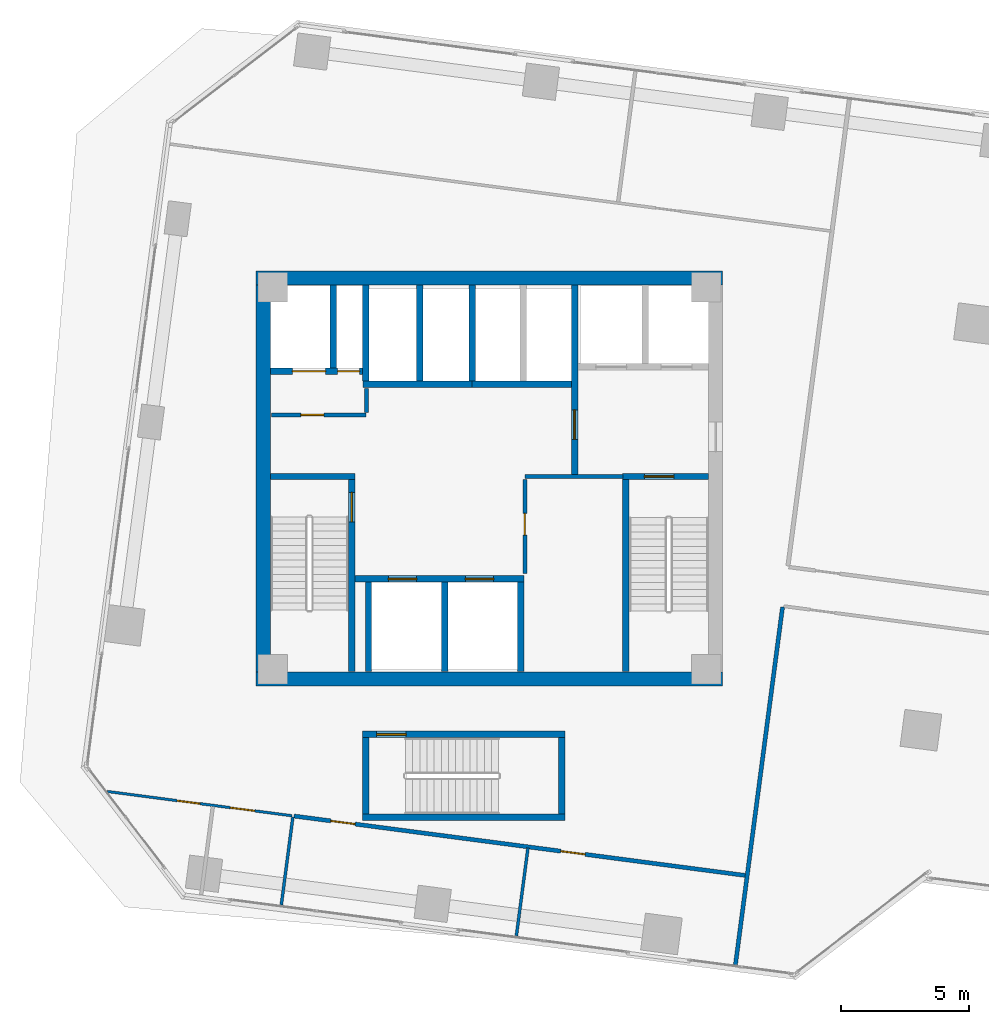
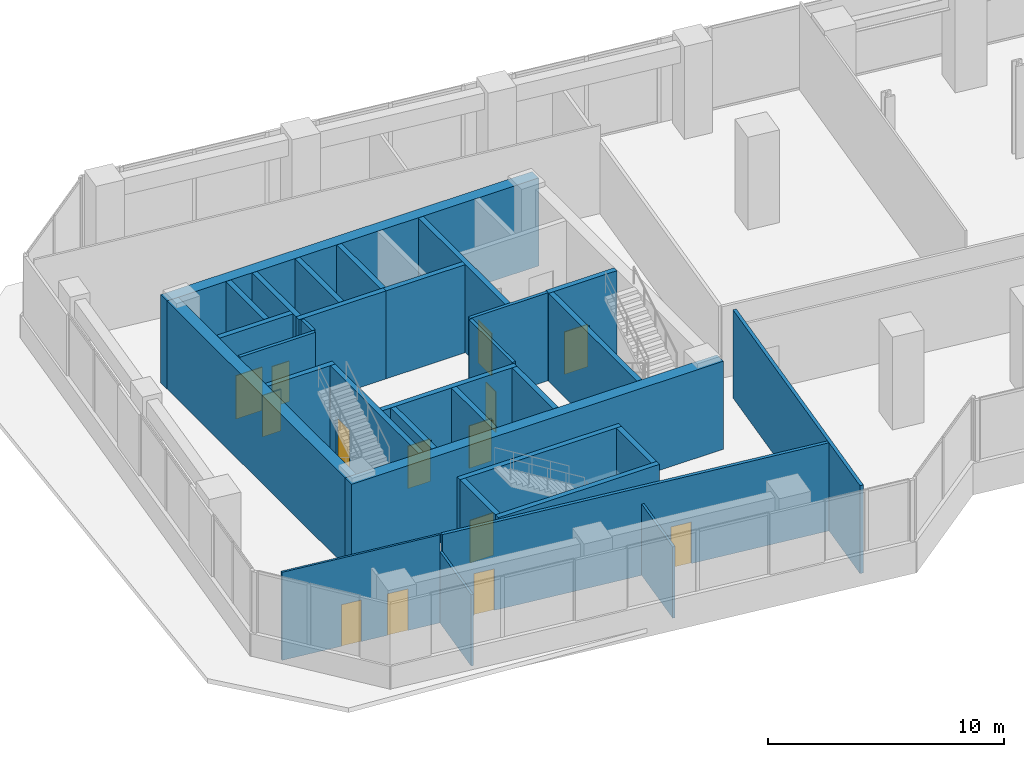
# One storey, part 19 of 24: 32 walls, 14 doors, 14 openings.
"""IFC4 building model written with IfcOpenShell, lengths in metres."""

from ifc_helpers import new_model, si_unit, direction, frame, frame_2d, origin, place, context, subcontext, project, spatial, rectangle, extrude, source, transform, mapped, material, layer, layer_set, type_object, element, fill, save


model = new_model("IFC4")

# Units and contexts
model_context = context("Model", 3, precision=1e-05, world=origin(), true_north=direction((0.0, 1.0)))
body_context = subcontext(model_context, "Body", "Model", "MODEL_VIEW")
ifc_project = project(units=[si_unit("LENGTHUNIT", "METRE"), si_unit("AREAUNIT", "SQUARE_METRE"), si_unit("VOLUMEUNIT", "CUBIC_METRE"), si_unit("PLANEANGLEUNIT", "RADIAN"), si_unit("MASSUNIT", "GRAM", prefix="KILO")], contexts=[model_context])

# Site, building, storey
site_placement = place(None, origin())
site = spatial("IfcSite", under=ifc_project, at=site_placement, CompositionType="ELEMENT")
building_placement = place(site_placement, origin())
building = spatial("IfcBuilding", under=site, at=building_placement, Name="Torre Montelarca", CompositionType="ELEMENT")
storey_placement = place(building_placement, frame((0.0, 0.0, 61.60009765625)))
storey = spatial("IfcBuildingStorey", under=building, at=storey_placement, Name="L13", CompositionType="ELEMENT", Elevation=61.60009765625)

# Wall, opening, door
ifc_material_1 = material(Name="Concrete C40/50", Category="concrete")
ifc_layer_1 = layer(ifc_material_1, 0.25, Name="Concrete C40/50", Category="concrete")
ifc_layer_set_1 = layer_set([ifc_layer_1], Name="Concrete C40/50")
wall_type_1 = type_object("IfcWallType", Name="CW-SHAFT-250", PredefinedType="SHEAR", material=ifc_layer_set_1)
wall_1_placement = place(storey_placement, frame((12.625, 24.4599609375, 0.0), z_axis=(0.0, 0.0, 1.0), x_axis=(0.0, 1.0, 0.0)))
wall_1 = element("IfcWall", 1, at=wall_1_placement, inside=storey, type_object=wall_type_1, Name="L13 Core Shear Wall SH-ST1-E", PredefinedType="SHEAR", context=body_context, shape_type="SweptSolid", body=[
    extrude(rectangle(XDim=7.489990234375, YDim=0.25, at=frame_2d((3.7451171875, 0.0))), origin(), (0.0, 0.0, 1.0), 4.559814453125),
])
opening_1_placement = place(wall_1_placement, frame((5.85009765625, 0.0, 0.0)))
opening_1 = element("IfcOpeningElement", 2, at=opening_1_placement, cuts=wall_1, Name="Opening FD-ST1", PredefinedType="OPENING", context=body_context, shape_type="SweptSolid", body=[
    extrude(rectangle(XDim=1.14990234375, YDim=2.199951171875, at=frame_2d((0.574951171875, 1.10009765625))), frame((0.0, 0.135009765625, 0.0), z_axis=(0.0, -1.0, 0.0), x_axis=(1.0, 0.0, 0.0)), (0.0, 0.0, 1.0), 0.27001953125),
])
ifc_material_2 = material(Name="Galvanized steel fire door", Category="steel")
door_type_1 = type_object("IfcDoorType", Name="DR-STAIR-115", OperationType="NOTDEFINED", PredefinedType="DOOR", material=ifc_material_2)
shared_shape_1 = source(origin(), body_context, "Body", "SweptSolid", [
    extrude(rectangle(XDim=1.14990234375, YDim=2.199951171875, at=frame_2d((0.574951171875, 1.10009765625))), frame((0.0, 0.02490234375, 0.0), z_axis=(0.0, -1.0, 0.0), x_axis=(1.0, 0.0, 0.0)), (0.0, 0.0, 1.0), 0.050048828125),
])
door_1_placement = place(opening_1_placement, origin())
door_1 = element("IfcDoor", 3, at=door_1_placement, inside=storey, type_object=door_type_1, Name="L13 Exit Stair ST1 Fire Door", OperationType="SINGLE_SWING_RIGHT", OverallHeight=2.199951171875, OverallWidth=1.14990234375, PredefinedType="DOOR", context=body_context, shape_type="MappedRepresentation", body=[
    mapped(shared_shape_1, transform((0.0, 0.0, 0.0), scale=1.0)),
])
fill(opening_1, door_1)

# Walls
wall_2_placement = place(storey_placement, frame((9.4599609375, 32.074951171875, 0.0), z_axis=(0.0, 0.0, 1.0), x_axis=(1.0, 0.0, 0.0)))
element("IfcWall", 4, at=wall_2_placement, inside=storey, type_object=wall_type_1, Name="L13 Core Shear Wall SH-ST1-N", PredefinedType="SHEAR", context=body_context, shape_type="SweptSolid", body=[
    extrude(rectangle(XDim=3.2900390625, YDim=0.25, at=frame_2d((1.64501953125, 0.0))), origin(), (0.0, 0.0, 1.0), 4.559814453125),
])
wall_3_placement = place(storey_placement, frame((23.31494140625, 24.4599609375, 0.0), z_axis=(0.0, 0.0, 1.0), x_axis=(0.0, 1.0, 0.0)))
element("IfcWall", 5, at=wall_3_placement, inside=storey, type_object=wall_type_1, Name="L13 Core Shear Wall SH-ST2-W", PredefinedType="SHEAR", context=body_context, shape_type="SweptSolid", body=[
    extrude(rectangle(XDim=7.489990234375, YDim=0.25, at=frame_2d((3.7451171875, 0.0))), origin(), (0.0, 0.0, 1.0), 4.559814453125),
])

# Wall, opening, door
wall_4_placement = place(storey_placement, frame((23.18994140625, 32.074951171875, 0.0), z_axis=(0.0, 0.0, 1.0), x_axis=(1.0, 0.0, 0.0)))
wall_4 = element("IfcWall", 6, at=wall_4_placement, inside=storey, type_object=wall_type_1, Name="L13 Core Shear Wall SH-ST2-N", PredefinedType="SHEAR", context=body_context, shape_type="SweptSolid", body=[
    extrude(rectangle(XDim=3.35009765625, YDim=0.25, at=frame_2d((1.675048828125, 0.0))), origin(), (0.0, 0.0, 1.0), 4.559814453125),
])
opening_2_placement = place(wall_4_placement, frame((0.85009765625, 0.0, 0.0)))
opening_2 = element("IfcOpeningElement", 7, at=opening_2_placement, cuts=wall_4, Name="Opening FD-ST1", PredefinedType="OPENING", context=body_context, shape_type="SweptSolid", body=[
    extrude(rectangle(XDim=1.14990234375, YDim=2.199951171875, at=frame_2d((0.574951171875, 1.10009765625))), frame((0.0, 0.135009765625, 0.0), z_axis=(0.0, -1.0, 0.0), x_axis=(1.0, 0.0, 0.0)), (0.0, 0.0, 1.0), 0.27001953125),
])
door_2_placement = place(opening_2_placement, origin())
door_2 = element("IfcDoor", 8, at=door_2_placement, inside=storey, type_object=door_type_1, Name="L13 Exit Stair ST2 Fire Door", OperationType="SINGLE_SWING_RIGHT", OverallHeight=2.199951171875, OverallWidth=1.14990234375, PredefinedType="DOOR", context=body_context, shape_type="MappedRepresentation", body=[
    mapped(shared_shape_1, transform((0.0, 0.0, 0.0), scale=1.0)),
])
fill(opening_2, door_2)

wall_5_placement = place(storey_placement, frame((21.320068359375, 32.1201171875, 0.0), z_axis=(0.0, 0.0, 1.0), x_axis=(0.0, 1.0, 0.0)))
wall_5 = element("IfcWall", 9, at=wall_5_placement, inside=storey, type_object=wall_type_1, Name="L13 Core Shear Wall SH-FFL-W", PredefinedType="SHEAR", context=body_context, shape_type="SweptSolid", body=[
    extrude(rectangle(XDim=7.419921875, YDim=0.25, at=frame_2d((3.7099609375, 0.0))), origin(), (0.0, 0.0, 1.0), 4.559814453125),
])
opening_3_placement = place(wall_5_placement, frame((1.39990234375, 0.0, 0.0)))
opening_3 = element("IfcOpeningElement", 10, at=opening_3_placement, cuts=wall_5, Name="Opening FD-LB1", PredefinedType="OPENING", context=body_context, shape_type="SweptSolid", body=[
    extrude(rectangle(XDim=1.14990234375, YDim=2.199951171875, at=frame_2d((0.574951171875, 1.10009765625))), frame((0.0, 0.135009765625, 0.0), z_axis=(0.0, -1.0, 0.0), x_axis=(1.0, 0.0, 0.0)), (0.0, 0.0, 1.0), 0.27001953125),
])
ifc_material_3 = material(Name="Acoustic timber-veneered fire door", Category="wood")
door_type_2 = type_object("IfcDoorType", Name="DR-LOBBY-115", OperationType="NOTDEFINED", PredefinedType="DOOR", material=ifc_material_3)
shared_shape_2 = source(origin(), body_context, "Body", "SweptSolid", [
    extrude(rectangle(XDim=1.14990234375, YDim=2.199951171875, at=frame_2d((0.574951171875, 1.10009765625))), frame((0.0, 0.02490234375, 0.0), z_axis=(0.0, -1.0, 0.0), x_axis=(1.0, 0.0, 0.0)), (0.0, 0.0, 1.0), 0.050048828125),
])
door_3_placement = place(opening_3_placement, origin())
door_3 = element("IfcDoor", 11, at=door_3_placement, inside=storey, type_object=door_type_2, Name="L13 Lift Lobby to Firefighting Lobby Smoke Door", OperationType="SINGLE_SWING_LEFT", OverallHeight=2.199951171875, OverallWidth=1.14990234375, PredefinedType="DOOR", context=body_context, shape_type="MappedRepresentation", body=[
    mapped(shared_shape_2, transform((0.0, 0.0, 0.0), scale=1.0)),
])
fill(opening_3, door_3)

# Wall, openings, doors
wall_6_placement = place(storey_placement, frame((9.4599609375, 36.179931640625, 0.0), z_axis=(0.0, 0.0, 1.0), x_axis=(1.0, 0.0, 0.0)))
wall_6 = element("IfcWall", 12, at=wall_6_placement, inside=storey, type_object=wall_type_1, Name="L13 Core Shear Wall SH-SV1-S", PredefinedType="SHEAR", context=body_context, shape_type="SweptSolid", body=[
    extrude(rectangle(XDim=3.7900390625, YDim=0.25, at=frame_2d((1.89501953125, 0.0))), origin(), (0.0, 0.0, 1.0), 4.559814453125),
])
opening_4_placement = place(wall_6_placement, frame((2.6201171875, 0.0, 0.0)))
opening_4 = element("IfcOpeningElement", 13, at=opening_4_placement, cuts=wall_6, Name="Opening FD-085", PredefinedType="OPENING", context=body_context, shape_type="SweptSolid", body=[
    extrude(rectangle(XDim=0.85009765625, YDim=2.10009765625, at=frame_2d((0.425048828125, 1.050048828125))), frame((0.0, 0.135009765625, 0.0), z_axis=(0.0, -1.0, 0.0), x_axis=(1.0, 0.0, 0.0)), (0.0, 0.0, 1.0), 0.27001953125),
])
opening_5_placement = place(wall_6_placement, frame((0.85009765625, 0.0, 0.0)))
opening_5 = element("IfcOpeningElement", 14, at=opening_5_placement, cuts=wall_6, Name="Opening LD-130", PredefinedType="OPENING", context=body_context, shape_type="SweptSolid", body=[
    extrude(rectangle(XDim=1.300048828125, YDim=2.25, at=frame_2d((0.64990234375, 1.125))), frame((0.0, 0.135009765625, 0.0), z_axis=(0.0, -1.0, 0.0), x_axis=(1.0, 0.0, 0.0)), (0.0, 0.0, 1.0), 0.27001953125),
])
ifc_material_4 = material(Name="Steel riser access fire door", Category="steel")
door_type_3 = type_object("IfcDoorType", Name="DR-RISER-085", OperationType="NOTDEFINED", PredefinedType="DOOR", material=ifc_material_4)
shared_shape_3 = source(origin(), body_context, "Body", "SweptSolid", [
    extrude(rectangle(XDim=0.85009765625, YDim=2.10009765625, at=frame_2d((0.425048828125, 1.050048828125))), frame((0.0, 0.02490234375, 0.0), z_axis=(0.0, -1.0, 0.0), x_axis=(1.0, 0.0, 0.0)), (0.0, 0.0, 1.0), 0.050048828125),
])
door_4_placement = place(opening_4_placement, origin())
door_4 = element("IfcDoor", 15, at=door_4_placement, inside=storey, type_object=door_type_3, Name="L13 Electrical Riser Shaft Access Door", OperationType="SINGLE_SWING_RIGHT", OverallHeight=2.10009765625, OverallWidth=0.85009765625, PredefinedType="DOOR", context=body_context, shape_type="MappedRepresentation", body=[
    mapped(shared_shape_3, transform((0.0, 0.0, 0.0), scale=1.0)),
])
fill(opening_4, door_4)
ifc_material_5 = material(Name="Brushed stainless steel AISI 316", Category="steel")
door_type_4 = type_object("IfcDoorType", Name="DR-LIFT-130", OperationType="SLIDING_TO_LEFT", PredefinedType="DOOR", material=ifc_material_5)
shared_shape_4 = source(origin(), body_context, "Body", "SweptSolid", [
    extrude(rectangle(XDim=1.300048828125, YDim=2.25, at=frame_2d((0.64990234375, 1.125))), frame((0.0, 0.02490234375, 0.0), z_axis=(0.0, -1.0, 0.0), x_axis=(1.0, 0.0, 0.0)), (0.0, 0.0, 1.0), 0.050048828125),
])
door_5_placement = place(opening_5_placement, origin())
door_5 = element("IfcDoor", 16, at=door_5_placement, inside=storey, type_object=door_type_4, Name="L13 Lift Landing Sliding Door SV-1", OperationType="SLIDING_TO_LEFT", OverallHeight=2.25, OverallWidth=1.300048828125, PredefinedType="DOOR", context=body_context, shape_type="MappedRepresentation", body=[
    mapped(shared_shape_4, transform((0.0, 0.0, 0.0), scale=1.0)),
])
fill(opening_5, door_5)

# Wall
wall_7_placement = place(storey_placement, frame((11.89990234375, 36.31005859375, 0.0), z_axis=(0.0, 0.0, 1.0), x_axis=(0.0, 1.0, 0.0)))
element("IfcWall", 17, at=wall_7_placement, inside=storey, type_object=wall_type_1, Name="L13 Core Shear Wall SH-SV1-E", PredefinedType="SHEAR", context=body_context, shape_type="SweptSolid", body=[
    extrude(rectangle(XDim=3.22998046875, YDim=0.25, at=frame_2d((1.614990234375, 0.0))), origin(), (0.0, 0.0, 1.0), 4.559814453125),
])

# Wall, openings, doors
wall_8_placement = place(storey_placement, frame((12.6298828125, 28.080078125, 0.0), z_axis=(0.0, 0.0, 1.0), x_axis=(1.0, 0.0, 0.0)))
wall_8 = element("IfcWall", 18, at=wall_8_placement, inside=storey, type_object=wall_type_1, Name="L13 Core Shear Wall SH-PLL-N", PredefinedType="SHEAR", context=body_context, shape_type="SweptSolid", body=[
    extrude(rectangle(XDim=6.710205078125, YDim=0.25, at=frame_2d((3.35498046875, 0.0))), origin(), (0.0, 0.0, 1.0), 4.559814453125),
])
opening_6_placement = place(wall_8_placement, frame((1.429931640625, 0.0, 0.0)))
opening_6 = element("IfcOpeningElement", 19, at=opening_6_placement, cuts=wall_8, Name="Opening LD-110", PredefinedType="OPENING", context=body_context, shape_type="SweptSolid", body=[
    extrude(rectangle(XDim=1.10009765625, YDim=2.199951171875, at=frame_2d((0.550048828125, 1.10009765625))), frame((0.0, 0.135009765625, 0.0), z_axis=(0.0, -1.0, 0.0), x_axis=(1.0, 0.0, 0.0)), (0.0, 0.0, 1.0), 0.27001953125),
])
opening_7_placement = place(wall_8_placement, frame((4.429931640625, 0.0, 0.0)))
opening_7 = element("IfcOpeningElement", 20, at=opening_7_placement, cuts=wall_8, Name="Opening LD-110", PredefinedType="OPENING", context=body_context, shape_type="SweptSolid", body=[
    extrude(rectangle(XDim=1.10009765625, YDim=2.199951171875, at=frame_2d((0.550048828125, 1.10009765625))), frame((0.0, 0.135009765625, 0.0), z_axis=(0.0, -1.0, 0.0), x_axis=(1.0, 0.0, 0.0)), (0.0, 0.0, 1.0), 0.27001953125),
])
door_type_5 = type_object("IfcDoorType", Name="DR-LIFT-110", OperationType="SLIDING_TO_LEFT", PredefinedType="DOOR", material=ifc_material_5)
shared_shape_5 = source(origin(), body_context, "Body", "SweptSolid", [
    extrude(rectangle(XDim=1.10009765625, YDim=2.199951171875, at=frame_2d((0.550048828125, 1.10009765625))), frame((0.0, 0.02490234375, 0.0), z_axis=(0.0, -1.0, 0.0), x_axis=(1.0, 0.0, 0.0)), (0.0, 0.0, 1.0), 0.050048828125),
])
door_6_placement = place(opening_6_placement, origin())
door_6 = element("IfcDoor", 21, at=door_6_placement, inside=storey, type_object=door_type_5, Name="L13 Lift Landing Sliding Door PL-L1", OperationType="SLIDING_TO_LEFT", OverallHeight=2.199951171875, OverallWidth=1.10009765625, PredefinedType="DOOR", context=body_context, shape_type="MappedRepresentation", body=[
    mapped(shared_shape_5, transform((0.0, 0.0, 0.0), scale=1.0)),
])
fill(opening_6, door_6)
door_7_placement = place(opening_7_placement, origin())
door_7 = element("IfcDoor", 22, at=door_7_placement, inside=storey, type_object=door_type_5, Name="L13 Lift Landing Sliding Door PL-L2", OperationType="SLIDING_TO_RIGHT", OverallHeight=2.199951171875, OverallWidth=1.10009765625, PredefinedType="DOOR", context=body_context, shape_type="MappedRepresentation", body=[
    mapped(shared_shape_5, transform((0.0, 0.0, 0.0), scale=1.0)),
])
fill(opening_7, door_7)

# Walls
for number, where, z_axis, x_axis, name in (
    (23, (13.280029296875, 24.4599609375, 0.0), (0.0, 0.0, 1.0), (0.0, 1.0, 0.0), "L13 Core Shear Wall SH-PLL-W"),
    (24, (16.25, 24.4599609375, 0.0), (0.0, 0.0, 1.0), (0.0, 1.0, 0.0), "L13 Core Shear Wall SH-PLL-M"),
    (25, (19.219970703125, 24.4599609375, 0.0), (0.0, 0.0, 1.0), (0.0, 1.0, 0.0), "L13 Core Shear Wall SH-PLL-E"),
):
    element("IfcWall", number, at=place(storey_placement, frame(where, z_axis=z_axis, x_axis=x_axis)), inside=storey, type_object=wall_type_1, Name=name, PredefinedType="SHEAR", context=body_context, shape_type="SweptSolid", body=[
        extrude(rectangle(XDim=3.489990234375, YDim=0.25, at=frame_2d((1.7451171875, 0.0))), origin(), (0.0, 0.0, 1.0), 4.559814453125),
    ])
wall_9_placement = place(storey_placement, frame((13.06005859375, 35.679931640625, 0.0), z_axis=(0.0, 0.0, 1.0), x_axis=(1.0, 0.0, 0.0)))
element("IfcWall", 26, at=wall_9_placement, inside=storey, type_object=wall_type_1, Name="L13 Core Shear Wall SH-PLM-S", PredefinedType="SHEAR", context=body_context, shape_type="SweptSolid", body=[
    extrude(rectangle(XDim=4.25, YDim=0.25, at=frame_2d((2.125, 0.0))), origin(), (0.0, 0.0, 1.0), 4.559814453125),
])
for number, where, z_axis, x_axis, name in (
    (27, (13.179931640625, 35.81005859375, 0.0), (0.0, 0.0, 1.0), (0.0, 1.0, 0.0), "L13 Core Shear Wall SH-PLM-W"),
    (28, (15.280029296875, 35.81005859375, 0.0), (0.0, 0.0, 1.0), (0.0, 1.0, 0.0), "L13 Core Shear Wall SH-PLM-M"),
):
    element("IfcWall", number, at=place(storey_placement, frame(where, z_axis=z_axis, x_axis=x_axis)), inside=storey, type_object=wall_type_1, Name=name, PredefinedType="SHEAR", context=body_context, shape_type="SweptSolid", body=[
        extrude(rectangle(XDim=3.72998046875, YDim=0.25, at=frame_2d((1.864990234375, 0.0))), origin(), (0.0, 0.0, 1.0), 4.559814453125),
    ])
wall_10_placement = place(storey_placement, frame((17.320068359375, 35.679931640625, 0.0), z_axis=(0.0, 0.0, 1.0), x_axis=(1.0, 0.0, 0.0)))
element("IfcWall", 29, at=wall_10_placement, inside=storey, type_object=wall_type_1, Name="L13 Core Shear Wall SH-PLH-S", PredefinedType="SHEAR", context=body_context, shape_type="SweptSolid", body=[
    extrude(rectangle(XDim=3.869873046875, YDim=0.25, at=frame_2d((1.93505859375, 0.0))), origin(), (0.0, 0.0, 1.0), 4.559814453125),
])
wall_11_placement = place(storey_placement, frame((17.320068359375, 35.81005859375, 0.0), z_axis=(0.0, 0.0, 1.0), x_axis=(0.0, 1.0, 0.0)))
element("IfcWall", 30, at=wall_11_placement, inside=storey, type_object=wall_type_1, Name="L13 Core Shear Wall SH-PLH-W", PredefinedType="SHEAR", context=body_context, shape_type="SweptSolid", body=[
    extrude(rectangle(XDim=3.72998046875, YDim=0.25, at=frame_2d((1.864990234375, 0.0))), origin(), (0.0, 0.0, 1.0), 4.559814453125),
])
for number, where, z_axis, x_axis, name in (
    (31, (13.175048828125, 18.89990234375, 0.0), (0.0, 0.0, 1.0), (0.0, 1.0, 0.0), "L13 Core Shear Wall SH-ST3-W"),
    (32, (20.824951171875, 18.89990234375, 0.0), (0.0, 0.0, 1.0), (0.0, 1.0, 0.0), "L13 Core Shear Wall SH-ST3-E"),
):
    element("IfcWall", number, at=place(storey_placement, frame(where, z_axis=z_axis, x_axis=x_axis)), inside=storey, type_object=wall_type_1, Name=name, PredefinedType="SHEAR", context=body_context, shape_type="SweptSolid", body=[
        extrude(rectangle(XDim=2.989990234375, YDim=0.25, at=frame_2d((1.4951171875, 0.0))), origin(), (0.0, 0.0, 1.0), 4.559814453125),
    ])
wall_12_placement = place(storey_placement, frame((13.050048828125, 18.77490234375, 0.0), z_axis=(0.0, 0.0, 1.0), x_axis=(1.0, 0.0, 0.0)))
element("IfcWall", 33, at=wall_12_placement, inside=storey, type_object=wall_type_1, Name="L13 Core Shear Wall SH-ST3-S", PredefinedType="SHEAR", context=body_context, shape_type="SweptSolid", body=[
    extrude(rectangle(XDim=7.89990234375, YDim=0.25, at=frame_2d((3.949951171875, 0.0))), origin(), (0.0, 0.0, 1.0), 4.559814453125),
])

# Wall, opening, door
wall_13_placement = place(storey_placement, frame((13.050048828125, 22.014892578125, 0.0), z_axis=(0.0, 0.0, 1.0), x_axis=(1.0, 0.0, 0.0)))
wall_13 = element("IfcWall", 34, at=wall_13_placement, inside=storey, type_object=wall_type_1, Name="L13 Core Shear Wall SH-ST3-N", PredefinedType="SHEAR", context=body_context, shape_type="SweptSolid", body=[
    extrude(rectangle(XDim=7.89990234375, YDim=0.25, at=frame_2d((3.949951171875, 0.0))), origin(), (0.0, 0.0, 1.0), 4.559814453125),
])
opening_8_placement = place(wall_13_placement, frame((0.550048828125, 0.0, 0.0)))
opening_8 = element("IfcOpeningElement", 35, at=opening_8_placement, cuts=wall_13, Name="Opening FD-ST1", PredefinedType="OPENING", context=body_context, shape_type="SweptSolid", body=[
    extrude(rectangle(XDim=1.14990234375, YDim=2.199951171875, at=frame_2d((0.574951171875, 1.10009765625))), frame((0.0, 0.135009765625, 0.0), z_axis=(0.0, -1.0, 0.0), x_axis=(1.0, 0.0, 0.0)), (0.0, 0.0, 1.0), 0.27001953125),
])
door_8_placement = place(opening_8_placement, origin())
door_8 = element("IfcDoor", 36, at=door_8_placement, inside=storey, type_object=door_type_1, Name="L13 Exit Stair ST3 Fire Door", OperationType="SINGLE_SWING_LEFT", OverallHeight=2.199951171875, OverallWidth=1.14990234375, PredefinedType="DOOR", context=body_context, shape_type="MappedRepresentation", body=[
    mapped(shared_shape_1, transform((0.0, 0.0, 0.0), scale=1.0)),
])
fill(opening_8, door_8)

# Walls
ifc_material_6 = material(Name="Concrete C70/85", Category="concrete")
ifc_layer_2 = layer(ifc_material_6, 0.550048828125, Name="Concrete C70/85", Category="concrete")
ifc_layer_set_2 = layer_set([ifc_layer_2], Name="Concrete C70/85")
wall_type_2 = type_object("IfcWallType", Name="CW-SHEAR-550", PredefinedType="SHEAR", material=ifc_layer_set_2)
wall_14_placement = place(storey_placement, frame((9.175048828125, 24.449951171875, 0.0), z_axis=(0.0, 0.0, 1.0), x_axis=(0.0, 1.0, 0.0)))
element("IfcWall", 37, at=wall_14_placement, inside=storey, type_object=wall_type_2, Name="L13 Core Shear Wall CW-W", PredefinedType="SHEAR", context=body_context, shape_type="SweptSolid", body=[
    extrude(rectangle(XDim=15.10009765625, YDim=0.550048828125, at=frame_2d((7.550048828125, 0.0))), origin(), (0.0, 0.0, 1.0), 4.559814453125),
])
for number, where, z_axis, x_axis, name in (
    (38, (8.89990234375, 24.175048828125, 0.0), (0.0, 0.0, 1.0), (1.0, 0.0, 0.0), "L13 Core Shear Wall CW-S1"),
    (39, (8.89990234375, 39.824951171875, 0.0), (0.0, 0.0, 1.0), (1.0, 0.0, 0.0), "L13 Core Shear Wall CW-N1"),
):
    element("IfcWall", number, at=place(storey_placement, frame(where, z_axis=z_axis, x_axis=x_axis)), inside=storey, type_object=wall_type_2, Name=name, PredefinedType="SHEAR", context=body_context, shape_type="SweptSolid", body=[
        extrude(rectangle(XDim=18.2001953125, YDim=0.550048828125, at=frame_2d((9.10009765625, 0.0))), origin(), (0.0, 0.0, 1.0), 4.559814453125),
    ])

# Wall, opening, door
ifc_material_7 = material(Name="Gypsum plasterboard on steel stud", Category="steel")
ifc_layer_3 = layer(ifc_material_7, 0.159912109375, Name="Gypsum plasterboard on steel stud", Category="steel")
ifc_layer_set_3 = layer_set([ifc_layer_3], Name="Gypsum plasterboard on steel stud")
wall_type_3 = type_object("IfcWallType", Name="PW-FIRE-160", PredefinedType="PARTITIONING", material=ifc_layer_set_3)
wall_15_placement = place(storey_placement, frame((9.489990234375, 34.47998046875, 0.0), z_axis=(0.0, 0.0, 1.0), x_axis=(1.0, 0.0, 0.0)))
wall_15 = element("IfcWall", 40, at=wall_15_placement, inside=storey, type_object=wall_type_3, Name="L13 Interior Partition CW-L13-SVS", PredefinedType="PARTITIONING", context=body_context, shape_type="SweptSolid", body=[
    extrude(rectangle(XDim=3.699951171875, YDim=0.159912109375, at=frame_2d((1.85009765625, 0.0))), origin(), (0.0, 0.0, 1.0), 4.559814453125),
])
opening_9_placement = place(wall_15_placement, frame((1.14990234375, 0.0, 0.0)))
opening_9 = element("IfcOpeningElement", 41, at=opening_9_placement, cuts=wall_15, Name="Opening FD-090", PredefinedType="OPENING", context=body_context, shape_type="SweptSolid", body=[
    extrude(rectangle(XDim=0.89990234375, YDim=2.14990234375, at=frame_2d((0.449951171875, 1.074951171875))), frame((0.0, 0.08984375, 0.0), z_axis=(0.0, -1.0, 0.0), x_axis=(1.0, 0.0, 0.0)), (0.0, 0.0, 1.0), 0.179931640625),
])
ifc_material_8 = material(Name="Steel service fire door", Category="steel")
door_type_6 = type_object("IfcDoorType", Name="DR-FIRE-090", OperationType="NOTDEFINED", PredefinedType="DOOR", material=ifc_material_8)
shared_shape_6 = source(origin(), body_context, "Body", "SweptSolid", [
    extrude(rectangle(XDim=0.89990234375, YDim=2.14990234375, at=frame_2d((0.449951171875, 1.074951171875))), frame((0.0, 0.02490234375, 0.0), z_axis=(0.0, -1.0, 0.0), x_axis=(1.0, 0.0, 0.0)), (0.0, 0.0, 1.0), 0.050048828125),
])
door_9_placement = place(opening_9_placement, origin())
door_9 = element("IfcDoor", 42, at=door_9_placement, inside=storey, type_object=door_type_6, Name="L13 Interior Door 01", OperationType="SINGLE_SWING_RIGHT", OverallHeight=2.14990234375, OverallWidth=0.89990234375, PredefinedType="DOOR", context=body_context, shape_type="MappedRepresentation", body=[
    mapped(shared_shape_6, transform((0.0, 0.0, 0.0), scale=1.0)),
])
fill(opening_9, door_9)

# Walls
wall_16_placement = place(storey_placement, frame((13.199951171875, 34.570068359375, 0.0), z_axis=(0.0, 0.0, 1.0), x_axis=(0.0, 1.0, 0.0)))
element("IfcWall", 43, at=wall_16_placement, inside=storey, type_object=wall_type_3, Name="L13 Interior Partition CW-L13-SVE", PredefinedType="PARTITIONING", context=body_context, shape_type="SweptSolid", body=[
    extrude(rectangle(XDim=0.93994140625, YDim=0.159912109375, at=frame_2d((0.469970703125, 0.0))), origin(), (0.0, 0.0, 1.0), 4.559814453125),
])
wall_17_placement = place(storey_placement, frame((19.389892578125, 32.080078125, 0.0), z_axis=(0.0, 0.0, 1.0), x_axis=(1.0, 0.0, 0.0)))
element("IfcWall", 44, at=wall_17_placement, inside=storey, type_object=wall_type_3, Name="L13 Interior Partition CW-L13-SEN", PredefinedType="PARTITIONING", context=body_context, shape_type="SweptSolid", body=[
    extrude(rectangle(XDim=3.820068359375, YDim=0.159912109375, at=frame_2d((1.91015625, 0.0))), origin(), (0.0, 0.0, 1.0), 4.559814453125),
])

# Wall, opening, door
wall_18_placement = place(storey_placement, frame((19.3798828125, 28.2900390625, 0.0), z_axis=(0.0, 0.0, 1.0), x_axis=(0.0, 1.0, 0.0)))
wall_18 = element("IfcWall", 45, at=wall_18_placement, inside=storey, type_object=wall_type_3, Name="L13 Interior Partition CW-L13-SEW", PredefinedType="PARTITIONING", context=body_context, shape_type="SweptSolid", body=[
    extrude(rectangle(XDim=3.669921875, YDim=0.159912109375, at=frame_2d((1.8349609375, 0.0))), origin(), (0.0, 0.0, 1.0), 4.559814453125),
])
opening_10_placement = place(wall_18_placement, frame((1.5, 0.0, 0.0)))
opening_10 = element("IfcOpeningElement", 46, at=opening_10_placement, cuts=wall_18, Name="Opening FD-085", PredefinedType="OPENING", context=body_context, shape_type="SweptSolid", body=[
    extrude(rectangle(XDim=0.85009765625, YDim=2.10009765625, at=frame_2d((0.425048828125, 1.050048828125))), frame((0.0, 0.08984375, 0.0), z_axis=(0.0, -1.0, 0.0), x_axis=(1.0, 0.0, 0.0)), (0.0, 0.0, 1.0), 0.179931640625),
])
door_10_placement = place(opening_10_placement, origin())
door_10 = element("IfcDoor", 47, at=door_10_placement, inside=storey, type_object=door_type_3, Name="L13 Interior Door 02", OperationType="SINGLE_SWING_RIGHT", OverallHeight=2.10009765625, OverallWidth=0.85009765625, PredefinedType="DOOR", context=body_context, shape_type="MappedRepresentation", body=[
    mapped(shared_shape_3, transform((0.0, 0.0, 0.0), scale=1.0)),
])
fill(opening_10, door_10)

# Wall, openings, doors
wall_19_placement = place(storey_placement, frame((10.375732421875, 18.829345703125, 0.0), z_axis=(0.0, 0.0, 1.0), x_axis=(0.99144504436, -0.130524802294, 0.0)))
wall_19 = element("IfcWall", 48, at=wall_19_placement, inside=storey, type_object=wall_type_3, Name="L13 Interior Partition W-L13-SOCCN", PredefinedType="PARTITIONING", context=body_context, shape_type="SweptSolid", body=[
    extrude(rectangle(XDim=17.789794921875, YDim=0.159912109375, at=frame_2d((8.89501953125, 0.0))), origin(), (0.0, 0.0, 1.0), 4.559814453125),
])
opening_11_placement = place(wall_19_placement, frame((1.449951171875, 0.0, 0.0)))
opening_11 = element("IfcOpeningElement", 49, at=opening_11_placement, cuts=wall_19, Name="Opening FD-095", PredefinedType="OPENING", context=body_context, shape_type="SweptSolid", body=[
    extrude(rectangle(XDim=0.949951171875, YDim=2.14990234375, at=frame_2d((0.47509765625, 1.074951171875))), frame((0.0, 0.08984375, 0.0), z_axis=(0.0, -1.0, 0.0), x_axis=(1.0, 0.0, 0.0)), (0.0, 0.0, 1.0), 0.179931640625),
])
opening_12_placement = place(wall_19_placement, frame((10.5, 0.0, 0.0)))
opening_12 = element("IfcOpeningElement", 50, at=opening_12_placement, cuts=wall_19, Name="Opening FD-095", PredefinedType="OPENING", context=body_context, shape_type="SweptSolid", body=[
    extrude(rectangle(XDim=0.949951171875, YDim=2.14990234375, at=frame_2d((0.47509765625, 1.074951171875))), frame((0.0, 0.08984375, 0.0), z_axis=(0.0, -1.0, 0.0), x_axis=(1.0, 0.0, 0.0)), (0.0, 0.0, 1.0), 0.179931640625),
])
ifc_material_9 = material(Name="Timber fire-rated room door", Category="wood")
door_type_7 = type_object("IfcDoorType", Name="DR-FIRE-095", OperationType="NOTDEFINED", PredefinedType="DOOR", material=ifc_material_9)
shared_shape_7 = source(origin(), body_context, "Body", "SweptSolid", [
    extrude(rectangle(XDim=0.949951171875, YDim=2.14990234375, at=frame_2d((0.47509765625, 1.074951171875))), frame((0.0, 0.02490234375, 0.0), z_axis=(0.0, -1.0, 0.0), x_axis=(1.0, 0.0, 0.0)), (0.0, 0.0, 1.0), 0.050048828125),
])
door_11_placement = place(opening_11_placement, origin())
door_11 = element("IfcDoor", 51, at=door_11_placement, inside=storey, type_object=door_type_7, Name="L13 Interior Door 05", OperationType="SINGLE_SWING_RIGHT", OverallHeight=2.14990234375, OverallWidth=0.949951171875, PredefinedType="DOOR", context=body_context, shape_type="MappedRepresentation", body=[
    mapped(shared_shape_7, transform((0.0, 0.0, 0.0), scale=1.0)),
])
fill(opening_11, door_11)
door_12_placement = place(opening_12_placement, origin())
door_12 = element("IfcDoor", 52, at=door_12_placement, inside=storey, type_object=door_type_7, Name="L13 Interior Door 06", OperationType="SINGLE_SWING_LEFT", OverallHeight=2.14990234375, OverallWidth=0.949951171875, PredefinedType="DOOR", context=body_context, shape_type="MappedRepresentation", body=[
    mapped(shared_shape_7, transform((0.0, 0.0, 0.0), scale=1.0)),
])
fill(opening_12, door_12)

# Wall
wall_20_placement = place(storey_placement, frame((27.594970703125, 13.022216796875, 0.0), z_axis=(0.0, 0.0, 1.0), x_axis=(0.130532558102, 0.991444023269, 0.0)))
element("IfcWall", 53, at=wall_20_placement, inside=storey, type_object=wall_type_3, Name="L13 Interior Partition W-L13-ECS", PredefinedType="PARTITIONING", context=body_context, shape_type="SweptSolid", body=[
    extrude(rectangle(XDim=14.079833984375, YDim=0.159912109375, at=frame_2d((7.0400390625, 0.0))), origin(), (0.0, 0.0, 1.0), 4.559814453125),
])

# Wall, openings, doors
ifc_material_10 = material(Name="Acoustic laminated glass partition", Category="glass")
ifc_layer_4 = layer(ifc_material_10, 0.10009765625, Name="Acoustic laminated glass partition", Category="glass")
ifc_layer_set_4 = layer_set([ifc_layer_4], Name="Acoustic laminated glass partition")
wall_type_4 = type_object("IfcWallType", Name="PW-GLAZ-100", PredefinedType="PARTITIONING", material=ifc_layer_set_4)
wall_21_placement = place(storey_placement, frame((3.0966796875, 19.78759765625, 0.0), z_axis=(0.0, 0.0, 1.0), x_axis=(0.99144674145, -0.130511910828, 0.0)))
wall_21 = element("IfcWall", 54, at=wall_21_placement, inside=storey, type_object=wall_type_4, Name="L13 Interior Partition W-L13-WCN", PredefinedType="PARTITIONING", context=body_context, shape_type="SweptSolid", body=[
    extrude(rectangle(XDim=7.26171875, YDim=0.10009765625, at=frame_2d((3.630859375, 0.0))), origin(), (0.0, 0.0, 1.0), 4.559814453125),
])
opening_13_placement = place(wall_21_placement, frame((2.739990234375, 0.0, 0.0)))
opening_13 = element("IfcOpeningElement", 55, at=opening_13_placement, cuts=wall_21, Name="Opening ID-090", PredefinedType="OPENING", context=body_context, shape_type="SweptSolid", body=[
    extrude(rectangle(XDim=0.89990234375, YDim=2.14990234375, at=frame_2d((0.449951171875, 1.074951171875))), frame((0.0, 0.06005859375, 0.0), z_axis=(0.0, -1.0, 0.0), x_axis=(1.0, 0.0, 0.0)), (0.0, 0.0, 1.0), 0.1201171875),
])
opening_14_placement = place(wall_21_placement, frame((4.840087890625, 0.0, 0.0)))
opening_14 = element("IfcOpeningElement", 56, at=opening_14_placement, cuts=wall_21, Name="Opening ID-095", PredefinedType="OPENING", context=body_context, shape_type="SweptSolid", body=[
    extrude(rectangle(XDim=0.949951171875, YDim=2.14990234375, at=frame_2d((0.47509765625, 1.074951171875))), frame((0.0, 0.06005859375, 0.0), z_axis=(0.0, -1.0, 0.0), x_axis=(1.0, 0.0, 0.0)), (0.0, 0.0, 1.0), 0.1201171875),
])
ifc_material_11 = material(Name="Hardwood acoustic timber veneer", Category="wood")
door_type_8 = type_object("IfcDoorType", Name="DR-INT-090", OperationType="NOTDEFINED", PredefinedType="DOOR", material=ifc_material_11)
shared_shape_8 = source(origin(), body_context, "Body", "SweptSolid", [
    extrude(rectangle(XDim=0.89990234375, YDim=2.14990234375, at=frame_2d((0.449951171875, 1.074951171875))), frame((0.0, 0.02490234375, 0.0), z_axis=(0.0, -1.0, 0.0), x_axis=(1.0, 0.0, 0.0)), (0.0, 0.0, 1.0), 0.050048828125),
])
door_13_placement = place(opening_13_placement, origin())
door_13 = element("IfcDoor", 57, at=door_13_placement, inside=storey, type_object=door_type_8, Name="L13 Interior Door 03", OperationType="SINGLE_SWING_LEFT", OverallHeight=2.14990234375, OverallWidth=0.89990234375, PredefinedType="DOOR", context=body_context, shape_type="MappedRepresentation", body=[
    mapped(shared_shape_8, transform((0.0, 0.0, 0.0), scale=1.0)),
])
fill(opening_13, door_13)
door_type_9 = type_object("IfcDoorType", Name="DR-INT-095", OperationType="NOTDEFINED", PredefinedType="DOOR", material=ifc_material_11)
shared_shape_9 = source(origin(), body_context, "Body", "SweptSolid", [
    extrude(rectangle(XDim=0.949951171875, YDim=2.14990234375, at=frame_2d((0.47509765625, 1.074951171875))), frame((0.0, 0.02490234375, 0.0), z_axis=(0.0, -1.0, 0.0), x_axis=(1.0, 0.0, 0.0)), (0.0, 0.0, 1.0), 0.050048828125),
])
door_14_placement = place(opening_14_placement, origin())
door_14 = element("IfcDoor", 58, at=door_14_placement, inside=storey, type_object=door_type_9, Name="L13 Interior Door 04", OperationType="SINGLE_SWING_RIGHT", OverallHeight=2.14990234375, OverallWidth=0.949951171875, PredefinedType="DOOR", context=body_context, shape_type="MappedRepresentation", body=[
    mapped(shared_shape_9, transform((0.0, 0.0, 0.0), scale=1.0)),
])
fill(opening_14, door_14)

# Walls
ifc_layer_5 = layer(ifc_material_7, 0.114990234375, Name="Gypsum plasterboard on steel stud", Category="steel")
ifc_layer_set_5 = layer_set([ifc_layer_5], Name="Gypsum plasterboard on steel stud")
wall_type_5 = type_object("IfcWallType", Name="PW-PART-115", PredefinedType="PARTITIONING", material=ifc_layer_set_5)
wall_22_placement = place(storey_placement, frame((9.8779296875, 15.3544921875, 0.0), z_axis=(0.0, 0.0, 1.0), x_axis=(0.130509110781, 0.991447110038, 0.0)))
element("IfcWall", 59, at=wall_22_placement, inside=storey, type_object=wall_type_5, Name="L13 Interior Partition W-L13-SWCDIV", PredefinedType="PARTITIONING", context=body_context, shape_type="SweptSolid", body=[
    extrude(rectangle(XDim=3.47021484375, YDim=0.114990234375, at=frame_2d((1.735107421875, 0.0))), origin(), (0.0, 0.0, 1.0), 3.69482421875),
])
wall_23_placement = place(storey_placement, frame((19.048828125, 14.147216796875, 0.0), z_axis=(0.0, 0.0, 1.0), x_axis=(0.130518214887, 0.991445911577, 0.0)))
element("IfcWall", 60, at=wall_23_placement, inside=storey, type_object=wall_type_5, Name="L13 Interior Partition W-L13-SWDIV", PredefinedType="PARTITIONING", context=body_context, shape_type="SweptSolid", body=[
    extrude(rectangle(XDim=3.469970703125, YDim=0.114990234375, at=frame_2d((1.73486328125, 0.0))), origin(), (0.0, 0.0, 1.0), 3.69482421875),
])

save(model, "model.ifc")
